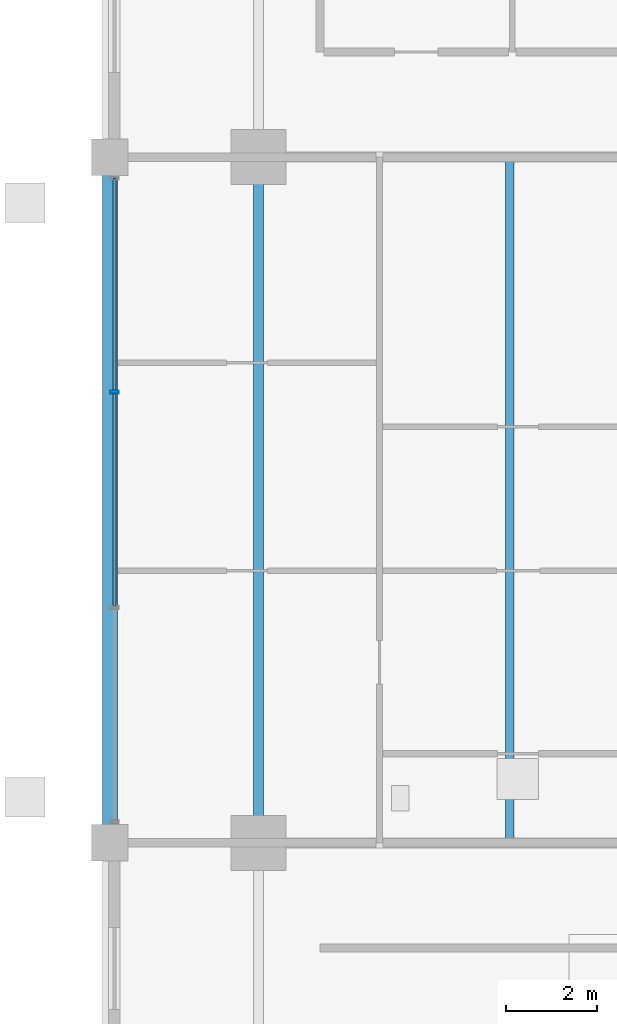
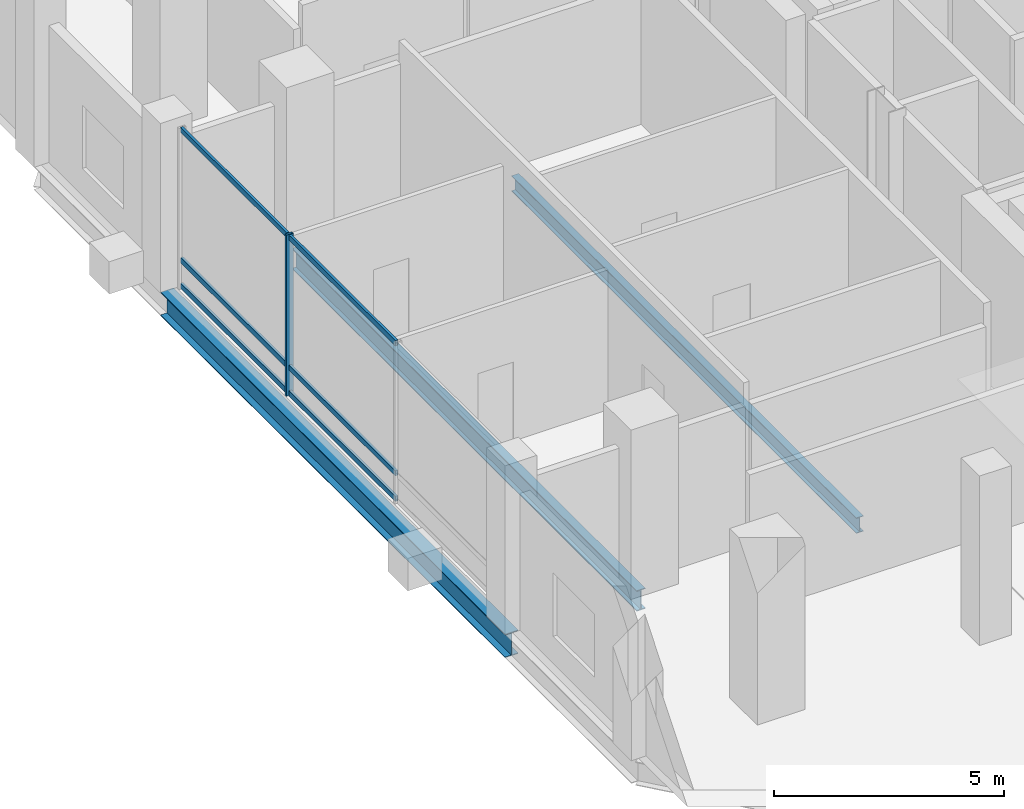
# One storey, part 5 of 19: 7 members, 3 beams, 1 element without a shape of its own.
"""IFC4 building model written with IfcOpenShell, lengths in metres."""

from ifc_helpers import new_model, si_unit, direction, frame, origin, origin_2d, place, context, subcontext, project, spatial, hollow_rectangle, i_section, extrude, material, layer, layer_set, material_profile, profile_set, type_object, element, aggregate, save


model = new_model("IFC4")

# Units and contexts
model_context = context("Model", 3, precision=1e-05, world=origin(), true_north=direction((0.0, 1.0)))
body_context = subcontext(model_context, "Body", "Model", "MODEL_VIEW")
ifc_project = project(units=[si_unit("LENGTHUNIT", "METRE"), si_unit("AREAUNIT", "SQUARE_METRE"), si_unit("VOLUMEUNIT", "CUBIC_METRE"), si_unit("PLANEANGLEUNIT", "RADIAN"), si_unit("MASSUNIT", "GRAM", prefix="KILO")], contexts=[model_context])

# Site, building, storey
site_placement = place(None, origin())
site = spatial("IfcSite", under=ifc_project, at=site_placement, CompositionType="ELEMENT")
building_placement = place(site_placement, origin())
building = spatial("IfcBuilding", under=site, at=building_placement, Name="Barlavira Tower and Art Museum", CompositionType="ELEMENT")
storey_placement = place(building_placement, frame((0.0, 0.0, 125.10009765625)))
storey = spatial("IfcBuildingStorey", under=building, at=storey_placement, Name="L31", CompositionType="ELEMENT", Elevation=125.10009765625)

# Curtain wall, members
ifc_material_1 = material(Name="Low-iron coastal laminated glass", Category="glass")
ifc_layer = layer(ifc_material_1, 0.18994140625, Name="Low-iron coastal laminated glass")
ifc_layer_set = layer_set([ifc_layer], Name="Low-iron coastal laminated glass")
curtain_wall_type = type_object("IfcCurtainWallType", Name="Pale-Metal Unitised Curtain Wall Zone 2", PredefinedType="NOTDEFINED", material=ifc_layer_set)
curtain_wall_placement = place(storey_placement, origin())
curtain_wall = element("IfcCurtainWall", 1, at=curtain_wall_placement, inside=storey, type_object=curtain_wall_type, Name="L31 Curtain Wall CW2-L31-W-B3", PredefinedType="NOTDEFINED")
ifc_material_2 = material(Name="Pale anodised aluminium", Category="aluminium")
ifc_material_profile_1 = material_profile(ifc_material_2, hollow_rectangle(XDim=0.06494140625, YDim=0.179931640625, WallThickness=0.00390625, at=origin_2d()), Name="ALU-MULL 65x180x4")
ifc_profile_set_1 = profile_set([ifc_material_profile_1], Name="Pale anodised aluminium")
member_type_1 = type_object("IfcMemberType", Name="Curtain Wall Pale-Metal Mullion 65x180", PredefinedType="MULLION", material=ifc_profile_set_1)
member_1_placement = place(storey_placement, frame((-20.14990234375, 2.360107421875, 0.0), z_axis=(0.0, 0.0, 1.0), x_axis=(0.0, -1.0, 0.0)))
member_1 = element("IfcMember", 2, at=member_1_placement, type_object=member_type_1, Name="CW2-L31-W-B3 Mullion 1", PredefinedType="MULLION", context=body_context, shape_type="SweptSolid", body=[
    extrude(hollow_rectangle(XDim=0.06494140625, YDim=0.179931640625, WallThickness=0.00390625, at=origin_2d()), origin(), (0.0, 0.0, 1.0), 4.27978515625),
])
ifc_material_profile_2 = material_profile(ifc_material_2, hollow_rectangle(XDim=0.06494140625, YDim=0.139892578125, WallThickness=0.00390625, at=origin_2d()), Name="ALU-TRAN 65x140x4")
ifc_profile_set_2 = profile_set([ifc_material_profile_2], Name="Pale anodised aluminium")
member_type_2 = type_object("IfcMemberType", Name="Curtain Wall Pale-Metal Transom 65x140", PredefinedType="USERDEFINED", material=ifc_profile_set_2)
member_2_placement = place(storey_placement, frame((-20.14990234375, 7.034912109375, 0.06982421875), z_axis=(0.0, -1.0, 0.0), x_axis=(1.0, 0.0, 0.0)))
member_2 = element("IfcMember", 3, at=member_2_placement, type_object=member_type_2, Name="CW2-L31-W-B3 Transom 0.1", ObjectType="TRANSOM", PredefinedType="USERDEFINED", context=body_context, shape_type="SweptSolid", body=[
    extrude(hollow_rectangle(XDim=0.06494140625, YDim=0.139892578125, WallThickness=0.00390625, at=origin_2d()), origin(), (0.0, 0.0, 1.0), 4.6298828125),
])
member_3_placement = place(storey_placement, frame((-20.14990234375, 7.034912109375, 0.75), z_axis=(0.0, -1.0, 0.0), x_axis=(1.0, 0.0, 0.0)))
member_3 = element("IfcMember", 4, at=member_3_placement, type_object=member_type_2, Name="CW2-L31-W-B3 Transom 0.2", ObjectType="TRANSOM", PredefinedType="USERDEFINED", context=body_context, shape_type="SweptSolid", body=[
    extrude(hollow_rectangle(XDim=0.06494140625, YDim=0.139892578125, WallThickness=0.00390625, at=origin_2d()), origin(), (0.0, 0.0, 1.0), 4.6298828125),
])
member_4_placement = place(storey_placement, frame((-20.14990234375, 7.034912109375, 4.2099609375), z_axis=(0.0, -1.0, 0.0), x_axis=(1.0, 0.0, 0.0)))
member_4 = element("IfcMember", 5, at=member_4_placement, type_object=member_type_2, Name="CW2-L31-W-B3 Transom 0.3", ObjectType="TRANSOM", PredefinedType="USERDEFINED", context=body_context, shape_type="SweptSolid", body=[
    extrude(hollow_rectangle(XDim=0.06494140625, YDim=0.139892578125, WallThickness=0.00390625, at=origin_2d()), origin(), (0.0, 0.0, 1.0), 4.6298828125),
])
member_5_placement = place(storey_placement, frame((-20.14990234375, 2.31494140625, 0.06982421875), z_axis=(0.0, -1.0, 0.0), x_axis=(1.0, 0.0, 0.0)))
member_5 = element("IfcMember", 6, at=member_5_placement, type_object=member_type_2, Name="CW2-L31-W-B3 Transom 1.1", ObjectType="TRANSOM", PredefinedType="USERDEFINED", context=body_context, shape_type="SweptSolid", body=[
    extrude(hollow_rectangle(XDim=0.06494140625, YDim=0.139892578125, WallThickness=0.00390625, at=origin_2d()), origin(), (0.0, 0.0, 1.0), 4.6298828125),
])
member_6_placement = place(storey_placement, frame((-20.14990234375, 2.31494140625, 0.75), z_axis=(0.0, -1.0, 0.0), x_axis=(1.0, 0.0, 0.0)))
member_6 = element("IfcMember", 7, at=member_6_placement, type_object=member_type_2, Name="CW2-L31-W-B3 Transom 1.2", ObjectType="TRANSOM", PredefinedType="USERDEFINED", context=body_context, shape_type="SweptSolid", body=[
    extrude(hollow_rectangle(XDim=0.06494140625, YDim=0.139892578125, WallThickness=0.00390625, at=origin_2d()), origin(), (0.0, 0.0, 1.0), 4.6298828125),
])
member_7_placement = place(storey_placement, frame((-20.14990234375, 2.31494140625, 4.2099609375), z_axis=(0.0, -1.0, 0.0), x_axis=(1.0, 0.0, 0.0)))
member_7 = element("IfcMember", 8, at=member_7_placement, type_object=member_type_2, Name="CW2-L31-W-B3 Transom 1.3", ObjectType="TRANSOM", PredefinedType="USERDEFINED", context=body_context, shape_type="SweptSolid", body=[
    extrude(hollow_rectangle(XDim=0.06494140625, YDim=0.139892578125, WallThickness=0.00390625, at=origin_2d()), origin(), (0.0, 0.0, 1.0), 4.6298828125),
])
aggregate(curtain_wall, [member_1, member_2, member_3, member_4, member_5, member_6, member_7])

# Beams
ifc_material_3 = material(Name="Steel S355", Category="steel")
ifc_material_profile_3 = material_profile(ifc_material_3, i_section(OverallWidth=0.327880859375, OverallDepth=0.62890625, WebThickness=0.013916015625, FlangeThickness=0.021484375, at=origin_2d()), Name="W610x174.0")
ifc_profile_set_3 = profile_set([ifc_material_profile_3], Name="Steel S355")
beam_type_1 = type_object("IfcBeamType", Name="Perimeter Spandrel Edge Beam W610x174 Steel S355", PredefinedType="SPANDREL", material=ifc_profile_set_3)
beam_1_placement = place(storey_placement, frame((-20.25, -7.5, -0.614501953125), z_axis=(0.0, 1.0, 0.0), x_axis=(-1.0, 0.0, 0.0)))
element("IfcBeam", 9, at=beam_1_placement, inside=storey, type_object=beam_type_1, Name="L31 Spandrel 14", PredefinedType="SPANDREL", context=body_context, shape_type="SweptSolid", body=[
    extrude(i_section(OverallWidth=0.327880859375, OverallDepth=0.62890625, WebThickness=0.013916015625, FlangeThickness=0.021484375, at=origin_2d()), origin(), (0.0, 0.0, 1.0), 15.0),
])
ifc_material_profile_4 = material_profile(ifc_material_3, i_section(OverallWidth=0.214111328125, OverallDepth=0.549072265625, WebThickness=0.0146484375, FlangeThickness=0.023681640625, at=origin_2d()), Name="W530x138.0")
ifc_profile_set_4 = profile_set([ifc_material_profile_4], Name="Steel S355")
beam_type_2 = type_object("IfcBeamType", Name="Zone 1 Primary Floor Girder W530x138 Steel S355", PredefinedType="BEAM", material=ifc_profile_set_4)
beam_2_placement = place(storey_placement, frame((-17.0, -7.5, -0.57470703125), z_axis=(0.0, 1.0, 0.0), x_axis=(-1.0, 0.0, 0.0)))
element("IfcBeam", 10, at=beam_2_placement, inside=storey, type_object=beam_type_2, Name="L31 Girder M-W2", PredefinedType="BEAM", context=body_context, shape_type="SweptSolid", body=[
    extrude(i_section(OverallWidth=0.214111328125, OverallDepth=0.549072265625, WebThickness=0.0146484375, FlangeThickness=0.023681640625, at=origin_2d()), origin(), (0.0, 0.0, 1.0), 15.0),
])
ifc_material_profile_5 = material_profile(ifc_material_3, i_section(OverallWidth=0.179931640625, OverallDepth=0.4130859375, WebThickness=0.009765625, FlangeThickness=0.01611328125, at=origin_2d()), Name="W410x75.0")
ifc_profile_set_5 = profile_set([ifc_material_profile_5], Name="Steel S355")
beam_type_3 = type_object("IfcBeamType", Name="Zone 2 Composite Floor Joist W410x75 Steel S355", PredefinedType="JOIST", material=ifc_profile_set_5)
beam_3_placement = place(storey_placement, frame((-11.5, -7.5, -0.506591796875), z_axis=(0.0, 1.0, 0.0), x_axis=(-1.0, 0.0, 0.0)))
element("IfcBeam", 11, at=beam_3_placement, inside=storey, type_object=beam_type_3, Name="L31 Joist W1", PredefinedType="JOIST", context=body_context, shape_type="SweptSolid", body=[
    extrude(i_section(OverallWidth=0.179931640625, OverallDepth=0.4130859375, WebThickness=0.009765625, FlangeThickness=0.01611328125, at=origin_2d()), origin(), (0.0, 0.0, 1.0), 15.0),
])

save(model, "model.ifc")
